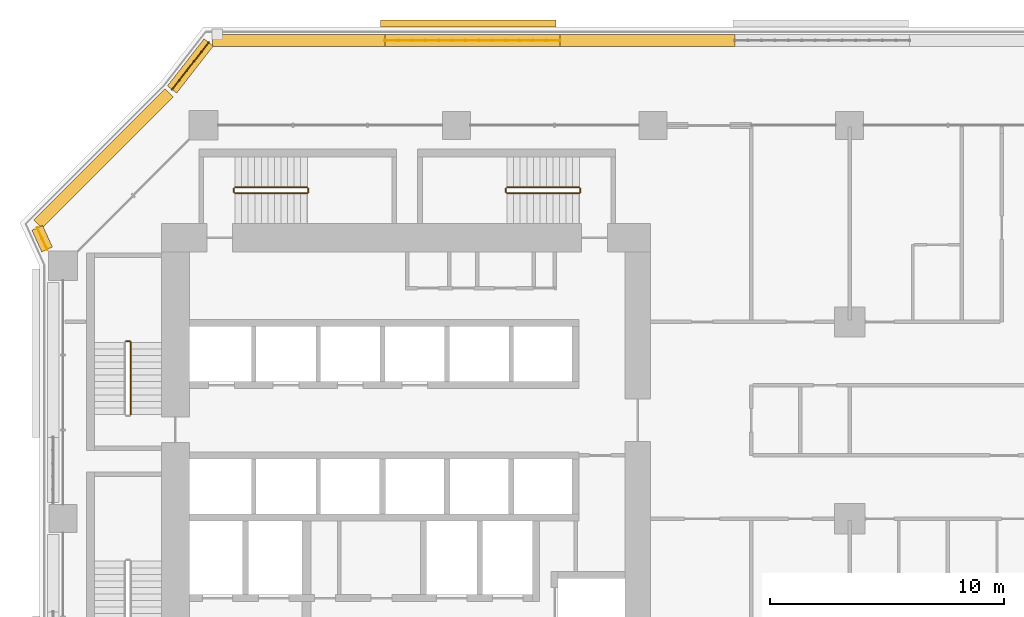
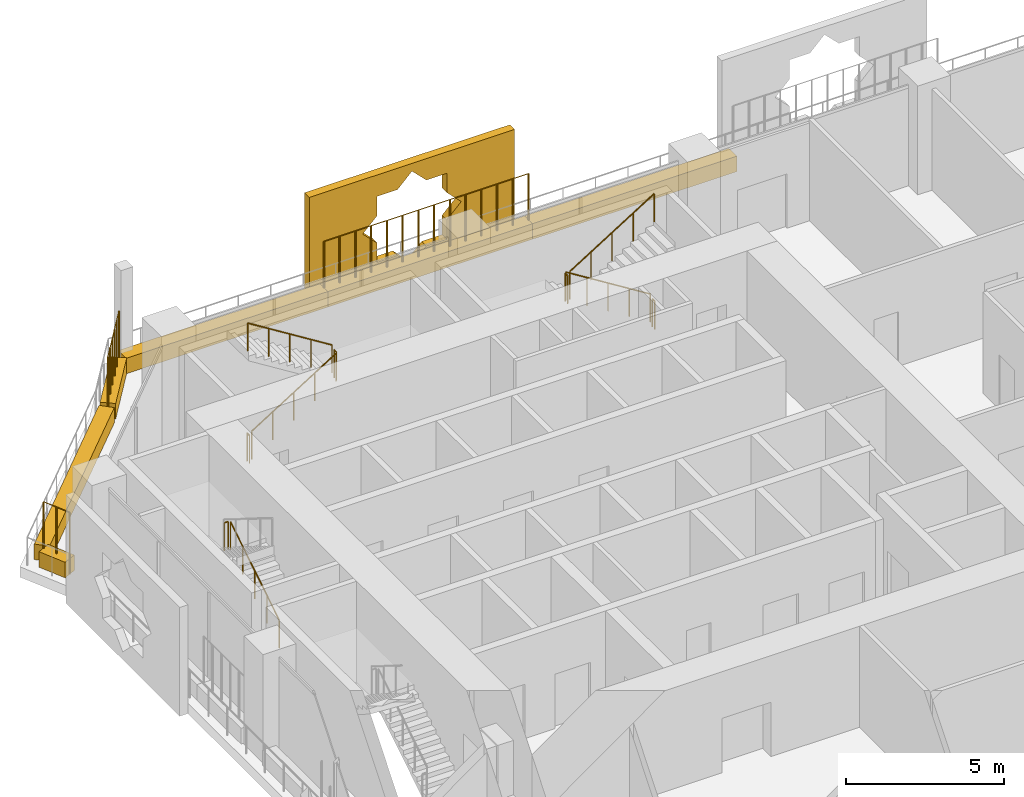
# One storey, part 27 of 29: 13 railings, 7 coverings.
"""IFC4 building model written with IfcOpenShell, lengths in metres."""

from ifc_helpers import new_model, si_unit, direction, frame, origin, origin_2d, place, context, subcontext, project, spatial, polyline, rectangle, circle, outline, extrude, material, material_profile, profile_set, type_object, element, save


model = new_model("IFC4")

# Units and contexts
model_context = context("Model", 3, precision=1e-05, world=origin(), true_north=direction((0.0, 1.0)))
body_context = subcontext(model_context, "Body", "Model", "MODEL_VIEW")
ifc_project = project(units=[si_unit("LENGTHUNIT", "METRE"), si_unit("AREAUNIT", "SQUARE_METRE"), si_unit("VOLUMEUNIT", "CUBIC_METRE"), si_unit("PLANEANGLEUNIT", "RADIAN"), si_unit("MASSUNIT", "GRAM", prefix="KILO")], contexts=[model_context])

# Site, building, storey
site_placement = place(None, origin())
site = spatial("IfcSite", under=ifc_project, at=site_placement, CompositionType="ELEMENT")
building_placement = place(site_placement, origin())
building = spatial("IfcBuilding", under=site, at=building_placement, Name="Kawkab Arch Medical Tower", CompositionType="ELEMENT")
storey_placement = place(building_placement, frame((0.0, 0.0, 64.39990234375)))
storey = spatial("IfcBuildingStorey", under=building, at=storey_placement, Name="L14", CompositionType="ELEMENT", Elevation=64.39990234375)

# Coverings
ifc_material_1 = material(Name="Bronze anodised aluminium mashrabiya panel, eight-point star pattern", Category="aluminium")
ifc_material_profile_1 = material_profile(ifc_material_1, outline(polyline([(-3.75, -2.10009765625), (3.75, -2.10009765625), (3.75, 2.10009765625), (-3.75, 2.10009765625), (-3.75, -2.10009765625)]), holes=[polyline([(1.800048828125, 0.0), (1.272705078125, 0.527099609375), (1.272705078125, 1.272705078125), (0.527099609375, 1.272705078125), (0.0, 1.800048828125), (-0.527099609375, 1.272705078125), (-1.272705078125, 1.272705078125), (-1.272705078125, 0.527099609375), (-1.800048828125, 0.0), (-1.272705078125, -0.527099609375), (-1.272705078125, -1.272705078125), (-0.527099609375, -1.272705078125), (0.0, -1.800048828125), (0.527099609375, -1.272705078125), (1.272705078125, -1.272705078125), (1.272705078125, -0.527099609375), (1.800048828125, 0.0)])]), Name="Mashrabiya panel 7500x4200")
ifc_profile_set_1 = profile_set([ifc_material_profile_1], Name="Bronze anodised aluminium mashrabiya panel, eight-point star pattern")
covering_type_1 = type_object("IfcCoveringType", Name="Mashrabiya panel 7500 x 4200", PredefinedType="USERDEFINED", material=ifc_profile_set_1)
covering_1_placement = place(storey_placement, frame((17.30322265625, 4.199951171875, 1.7001953125), z_axis=(0.0, 1.0, 0.0), x_axis=(-1.0, 0.0, 0.0)))
element("IfcCovering", 1, at=covering_1_placement, inside=storey, type_object=covering_type_1, Name="Mashrabiya panel L14.LOG-01-01.6", ObjectType="SCREEN", PredefinedType="USERDEFINED", context=body_context, shape_type="SweptSolid", body=[
    extrude(outline(polyline([(-3.75, -2.10009765625), (3.75, -2.10009765625), (3.75, 2.10009765625), (-3.75, 2.10009765625), (-3.75, -2.10009765625)]), holes=[polyline([(1.800048828125, 0.0), (1.272705078125, 0.527099609375), (1.272705078125, 1.272705078125), (0.527099609375, 1.272705078125), (0.0, 1.800048828125), (-0.527099609375, 1.272705078125), (-1.272705078125, 1.272705078125), (-1.272705078125, 0.527099609375), (-1.800048828125, 0.0), (-1.272705078125, -0.527099609375), (-1.272705078125, -1.272705078125), (-0.527099609375, -1.272705078125), (0.0, -1.800048828125), (0.527099609375, -1.272705078125), (1.272705078125, -1.272705078125), (1.272705078125, -0.527099609375), (1.800048828125, 0.0)])]), origin(), (0.0, 0.0, 1.0), 0.300048828125),
])
ifc_material_2 = material(Name="Planting soil in a precast trough", Category="concrete")
ifc_material_profile_2 = material_profile(ifc_material_2, rectangle(XDim=0.5, YDim=0.60009765625, at=origin_2d()), Name="Trough 500x600")
ifc_profile_set_2 = profile_set([ifc_material_profile_2], Name="Planting soil in a precast trough")
covering_type_2 = type_object("IfcCoveringType", Name="Planter trough 500 x 600", PredefinedType="USERDEFINED", material=ifc_profile_set_2)
covering_2_placement = place(storey_placement, frame((-0.680908203125, -5.302001953125, 0.300048828125), z_axis=(-0.415071571878, 0.909788761317, 0.0), x_axis=(-0.909788761317, -0.415071571878, 0.0)))
element("IfcCovering", 2, at=covering_2_placement, inside=storey, type_object=covering_type_2, Name="Planter L14.LOG-01-01.17", ObjectType="PLANTER", PredefinedType="USERDEFINED", context=body_context, shape_type="SweptSolid", body=[
    extrude(rectangle(XDim=0.5, YDim=0.60009765625, at=origin_2d()), origin(), (0.0, 0.0, 1.0), 1.0146484375),
])
covering_3_placement = place(storey_placement, frame((-1.072998046875, -4.217041015625, 0.300048828125), z_axis=(0.707106781187, 0.707106781187, 0.0), x_axis=(-0.707106781187, 0.707106781187, 0.0)))
element("IfcCovering", 3, at=covering_3_placement, inside=storey, type_object=covering_type_2, Name="Planter L14.LOG-01-01.18", ObjectType="PLANTER", PredefinedType="USERDEFINED", context=body_context, shape_type="SweptSolid", body=[
    extrude(rectangle(XDim=0.5, YDim=0.60009765625, at=origin_2d()), origin(), (0.0, 0.0, 1.0), 7.919677734375),
])
covering_4_placement = place(storey_placement, frame((4.658935546875, 1.531982421875, 0.300048828125), z_axis=(0.61404021143, 0.789274742246, 0.0), x_axis=(-0.789274742246, 0.61404021143, 0.0)))
element("IfcCovering", 4, at=covering_4_placement, inside=storey, type_object=covering_type_2, Name="Planter L14.LOG-01-01.19", ObjectType="PLANTER", PredefinedType="USERDEFINED", context=body_context, shape_type="SweptSolid", body=[
    extrude(rectangle(XDim=0.5, YDim=0.60009765625, at=origin_2d()), origin(), (0.0, 0.0, 1.0), 2.54541015625),
])
covering_5_placement = place(storey_placement, frame((6.384033203125, 3.6201171875, 0.300048828125), z_axis=(1.0, 0.0, 0.0), x_axis=(0.0, 1.0, 0.0)))
element("IfcCovering", 5, at=covering_5_placement, inside=storey, type_object=covering_type_2, Name="Planter L14.LOG-01-01.20", ObjectType="PLANTER", PredefinedType="USERDEFINED", context=body_context, shape_type="SweptSolid", body=[
    extrude(rectangle(XDim=0.5, YDim=0.60009765625, at=origin_2d()), origin(), (0.0, 0.0, 1.0), 7.369873046875),
])
covering_6_placement = place(storey_placement, frame((13.75390625, 3.6201171875, 0.300048828125), z_axis=(1.0, 0.0, 0.0), x_axis=(0.0, 1.0, 0.0)))
element("IfcCovering", 6, at=covering_6_placement, inside=storey, type_object=covering_type_2, Name="Planter L14.LOG-01-01.21", ObjectType="PLANTER", PredefinedType="USERDEFINED", context=body_context, shape_type="SweptSolid", body=[
    extrude(rectangle(XDim=0.5, YDim=0.60009765625, at=origin_2d()), origin(), (0.0, 0.0, 1.0), 7.47021484375),
])
covering_7_placement = place(storey_placement, frame((21.22412109375, 3.6201171875, 0.300048828125), z_axis=(1.0, 0.0, 0.0), x_axis=(0.0, 1.0, 0.0)))
element("IfcCovering", 7, at=covering_7_placement, inside=storey, type_object=covering_type_2, Name="Planter L14.LOG-01-01.22", ObjectType="PLANTER", PredefinedType="USERDEFINED", context=body_context, shape_type="SweptSolid", body=[
    extrude(rectangle(XDim=0.5, YDim=0.60009765625, at=origin_2d()), origin(), (0.0, 0.0, 1.0), 7.470947265625),
])

# Railings
ifc_material_3 = material(Name="Bronze anodised aluminium trellis for climbing plants", Category="aluminium")
railing_type_1 = type_object("IfcRailingType", Name="Planting trellis 2400", PredefinedType="USERDEFINED", material=ifc_material_3)
railing_1_placement = place(storey_placement, frame((-0.680908203125, -5.302001953125, 0.0)))
element("IfcRailing", 8, at=railing_1_placement, inside=storey, type_object=railing_type_1, Name="Planting trellis L14.LOG-01-01.17", ObjectType="TRELLIS", PredefinedType="USERDEFINED", context=body_context, shape_type="SweptSolid", body=[
    extrude(circle(Radius=0.01513671875, at=origin_2d()), frame((0.0, 0.0, 2.384765625), z_axis=(-0.415071571878, 0.909788761317, 0.0), x_axis=(-0.909788761317, -0.415071571878, 0.0)), (0.0, 0.0, 1.0), 1.0146484375),
    extrude(circle(Radius=0.030029296875, at=origin_2d()), origin(), (0.0, 0.0, 1.0), 2.369873046875),
    extrude(circle(Radius=0.030029296875, at=origin_2d()), frame((-0.21044921875, 0.46142578125, 0.0)), (0.0, 0.0, 1.0), 2.369873046875),
    extrude(circle(Radius=0.030029296875, at=origin_2d()), frame((-0.421142578125, 0.923095703125, 0.0)), (0.0, 0.0, 1.0), 2.369873046875),
])
railing_2_placement = place(storey_placement, frame((4.658935546875, 1.531982421875, 0.0)))
element("IfcRailing", 9, at=railing_2_placement, inside=storey, type_object=railing_type_1, Name="Planting trellis L14.LOG-01-01.19", ObjectType="TRELLIS", PredefinedType="USERDEFINED", context=body_context, shape_type="SweptSolid", body=[
    extrude(circle(Radius=0.01513671875, at=origin_2d()), frame((0.0, 0.0, 2.384765625), z_axis=(0.61404021143, 0.789274742246, 0.0), x_axis=(-0.789274742246, 0.61404021143, 0.0)), (0.0, 0.0, 1.0), 2.54541015625),
    extrude(circle(Radius=0.030029296875, at=origin_2d()), origin(), (0.0, 0.0, 1.0), 2.369873046875),
    extrude(circle(Radius=0.030029296875, at=origin_2d()), frame((0.3125, 0.40185546875, 0.0)), (0.0, 0.0, 1.0), 2.369873046875),
    extrude(circle(Radius=0.030029296875, at=origin_2d()), frame((0.625244140625, 0.8037109375, 0.0)), (0.0, 0.0, 1.0), 2.369873046875),
    extrude(circle(Radius=0.030029296875, at=origin_2d()), frame((0.937744140625, 1.205322265625, 0.0)), (0.0, 0.0, 1.0), 2.369873046875),
    extrude(circle(Radius=0.030029296875, at=origin_2d()), frame((1.25048828125, 1.607177734375, 0.0)), (0.0, 0.0, 1.0), 2.369873046875),
    extrude(circle(Radius=0.030029296875, at=origin_2d()), frame((1.56298828125, 2.009033203125, 0.0)), (0.0, 0.0, 1.0), 2.369873046875),
])
railing_3_placement = place(storey_placement, frame((13.75390625, 3.6201171875, 0.0)))
element("IfcRailing", 10, at=railing_3_placement, inside=storey, type_object=railing_type_1, Name="Planting trellis L14.LOG-01-01.21", ObjectType="TRELLIS", PredefinedType="USERDEFINED", context=body_context, shape_type="SweptSolid", body=[
    extrude(circle(Radius=0.01513671875, at=origin_2d()), frame((0.0, 0.0, 2.384765625), z_axis=(1.0, 0.0, 0.0), x_axis=(0.0, 1.0, 0.0)), (0.0, 0.0, 1.0), 7.47021484375),
    extrude(circle(Radius=0.030029296875, at=origin_2d()), origin(), (0.0, 0.0, 1.0), 2.369873046875),
    extrude(circle(Radius=0.030029296875, at=origin_2d()), frame((0.57470703125, 0.0, 0.0)), (0.0, 0.0, 1.0), 2.369873046875),
    extrude(circle(Radius=0.030029296875, at=origin_2d()), frame((1.149169921875, 0.0, 0.0)), (0.0, 0.0, 1.0), 2.369873046875),
    extrude(circle(Radius=0.030029296875, at=origin_2d()), frame((1.723876953125, 0.0, 0.0)), (0.0, 0.0, 1.0), 2.369873046875),
    extrude(circle(Radius=0.030029296875, at=origin_2d()), frame((2.298583984375, 0.0, 0.0)), (0.0, 0.0, 1.0), 2.369873046875),
    extrude(circle(Radius=0.030029296875, at=origin_2d()), frame((2.873046875, 0.0, 0.0)), (0.0, 0.0, 1.0), 2.369873046875),
    extrude(circle(Radius=0.030029296875, at=origin_2d()), frame((3.44775390625, 0.0, 0.0)), (0.0, 0.0, 1.0), 2.369873046875),
    extrude(circle(Radius=0.030029296875, at=origin_2d()), frame((4.0224609375, 0.0, 0.0)), (0.0, 0.0, 1.0), 2.369873046875),
    extrude(circle(Radius=0.030029296875, at=origin_2d()), frame((4.59716796875, 0.0, 0.0)), (0.0, 0.0, 1.0), 2.369873046875),
    extrude(circle(Radius=0.030029296875, at=origin_2d()), frame((5.171630859375, 0.0, 0.0)), (0.0, 0.0, 1.0), 2.369873046875),
    extrude(circle(Radius=0.030029296875, at=origin_2d()), frame((5.746337890625, 0.0, 0.0)), (0.0, 0.0, 1.0), 2.369873046875),
    extrude(circle(Radius=0.030029296875, at=origin_2d()), frame((6.321044921875, 0.0, 0.0)), (0.0, 0.0, 1.0), 2.369873046875),
    extrude(circle(Radius=0.030029296875, at=origin_2d()), frame((6.8955078125, 0.0, 0.0)), (0.0, 0.0, 1.0), 2.369873046875),
    extrude(circle(Radius=0.030029296875, at=origin_2d()), frame((7.47021484375, 0.0, 0.0)), (0.0, 0.0, 1.0), 2.369873046875),
])
ifc_material_4 = material(Name="Stainless steel", Category="steel")
railing_type_2 = type_object("IfcRailingType", Name="Stair guard 1100", PredefinedType="GUARDRAIL", material=ifc_material_4)
railing_4_placement = place(storey_placement, frame((2.89990234375, -12.35009765625, 0.175048828125)))
element("IfcRailing", 11, at=railing_4_placement, inside=storey, type_object=railing_type_2, Name="L14 ST1 stair guard 1", PredefinedType="GUARDRAIL", context=body_context, shape_type="SweptSolid", body=[
    extrude(circle(Radius=0.02392578125, at=origin_2d()), frame((0.0, 0.0, 1.076171875), z_axis=(0.0, 0.847998304005, 0.529998940003), x_axis=(-1.0, 0.0, 0.0)), (0.0, 0.0, 1.0), 3.632080078125),
    extrude(circle(Radius=0.02099609375, at=origin_2d()), origin(), (0.0, 0.0, 1.0), 1.052001953125),
    extrude(circle(Radius=0.02099609375, at=origin_2d()), frame((0.0, 0.77001953125, 0.481201171875)), (0.0, 0.0, 1.0), 1.052001953125),
    extrude(circle(Radius=0.02099609375, at=origin_2d()), frame((0.0, 1.5400390625, 0.96240234375)), (0.0, 0.0, 1.0), 1.052001953125),
    extrude(circle(Radius=0.02099609375, at=origin_2d()), frame((0.0, 2.31005859375, 1.44384765625)), (0.0, 0.0, 1.0), 1.052001953125),
    extrude(circle(Radius=0.02099609375, at=origin_2d()), frame((0.0, 3.080078125, 1.925048828125)), (0.0, 0.0, 1.0), 1.052001953125),
])
railing_5_placement = place(storey_placement, frame((2.85009765625, -9.219970703125, 2.10009765625)))
element("IfcRailing", 12, at=railing_5_placement, inside=storey, type_object=railing_type_2, Name="L14 ST1 stair guard 2", PredefinedType="GUARDRAIL", context=body_context, shape_type="SweptSolid", body=[
    extrude(circle(Radius=0.02392578125, at=origin_2d()), frame((0.0, 0.0, 1.076171875), z_axis=(-1.0, 0.0, 0.0), x_axis=(0.0, -1.0, 0.0)), (0.0, 0.0, 1.0), 0.150146484375),
    extrude(circle(Radius=0.02099609375, at=origin_2d()), origin(), (0.0, 0.0, 1.0), 1.052001953125),
    extrude(circle(Radius=0.02099609375, at=origin_2d()), frame((-0.150146484375, 0.0, 0.0)), (0.0, 0.0, 1.0), 1.052001953125),
])
railing_6_placement = place(storey_placement, frame((7.35009765625, -2.89990234375, 0.175048828125)))
element("IfcRailing", 13, at=railing_6_placement, inside=storey, type_object=railing_type_2, Name="L14 ST3 stair guard 1", PredefinedType="GUARDRAIL", context=body_context, shape_type="SweptSolid", body=[
    extrude(circle(Radius=0.02392578125, at=origin_2d()), frame((0.0, 0.0, 1.076171875), z_axis=(0.847979421464, 0.0, 0.530029150871), x_axis=(0.0, 1.0, 0.0)), (0.0, 0.0, 1.0), 3.632080078125),
    extrude(circle(Radius=0.02099609375, at=origin_2d()), origin(), (0.0, 0.0, 1.0), 1.052001953125),
    extrude(circle(Radius=0.02099609375, at=origin_2d()), frame((0.77001953125, 0.0, 0.481201171875)), (0.0, 0.0, 1.0), 1.052001953125),
    extrude(circle(Radius=0.02099609375, at=origin_2d()), frame((1.5400390625, 0.0, 0.96240234375)), (0.0, 0.0, 1.0), 1.052001953125),
    extrude(circle(Radius=0.02099609375, at=origin_2d()), frame((2.309814453125, 0.0, 1.44384765625)), (0.0, 0.0, 1.0), 1.052001953125),
    extrude(circle(Radius=0.02099609375, at=origin_2d()), frame((3.079833984375, 0.0, 1.925048828125)), (0.0, 0.0, 1.0), 1.052001953125),
])
railing_7_placement = place(storey_placement, frame((10.47998046875, -2.85009765625, 2.10009765625)))
element("IfcRailing", 14, at=railing_7_placement, inside=storey, type_object=railing_type_2, Name="L14 ST3 stair guard 2", PredefinedType="GUARDRAIL", context=body_context, shape_type="SweptSolid", body=[
    extrude(circle(Radius=0.02392578125, at=origin_2d()), frame((0.0, 0.0, 1.076171875), z_axis=(0.0, 1.0, 0.0), x_axis=(-1.0, 0.0, 0.0)), (0.0, 0.0, 1.0), 0.150146484375),
    extrude(circle(Radius=0.02099609375, at=origin_2d()), origin(), (0.0, 0.0, 1.0), 1.052001953125),
    extrude(circle(Radius=0.02099609375, at=origin_2d()), frame((0.0, 0.150146484375, 0.0)), (0.0, 0.0, 1.0), 1.052001953125),
])
railing_8_placement = place(storey_placement, frame((10.429931640625, -2.64990234375, 2.275146484375)))
element("IfcRailing", 15, at=railing_8_placement, inside=storey, type_object=railing_type_2, Name="L14 ST3 stair guard 3", PredefinedType="GUARDRAIL", context=body_context, shape_type="SweptSolid", body=[
    extrude(circle(Radius=0.02392578125, at=origin_2d()), frame((0.0, 0.0, 1.076171875), z_axis=(-0.847979421464, 0.0, 0.530029150871), x_axis=(0.0, -1.0, 0.0)), (0.0, 0.0, 1.0), 3.632080078125),
    extrude(circle(Radius=0.02099609375, at=origin_2d()), origin(), (0.0, 0.0, 1.0), 1.052001953125),
    extrude(circle(Radius=0.02099609375, at=origin_2d()), frame((-0.77001953125, 0.0, 0.481201171875)), (0.0, 0.0, 1.0), 1.052001953125),
    extrude(circle(Radius=0.02099609375, at=origin_2d()), frame((-1.5400390625, 0.0, 0.96240234375)), (0.0, 0.0, 1.0), 1.052001953125),
    extrude(circle(Radius=0.02099609375, at=origin_2d()), frame((-2.309814453125, 0.0, 1.44384765625)), (0.0, 0.0, 1.0), 1.052001953125),
    extrude(circle(Radius=0.02099609375, at=origin_2d()), frame((-3.079833984375, 0.0, 1.925048828125)), (0.0, 0.0, 1.0), 1.052001953125),
])
railing_9_placement = place(storey_placement, frame((7.300048828125, -2.85009765625, 0.0)))
element("IfcRailing", 16, at=railing_9_placement, inside=storey, type_object=railing_type_2, Name="L14 ST3 stair guard 4", PredefinedType="GUARDRAIL", context=body_context, shape_type="SweptSolid", body=[
    extrude(circle(Radius=0.02392578125, at=origin_2d()), frame((0.0, 0.0, 1.076171875), z_axis=(0.0, 1.0, 0.0), x_axis=(-1.0, 0.0, 0.0)), (0.0, 0.0, 1.0), 0.150146484375),
    extrude(circle(Radius=0.02099609375, at=origin_2d()), origin(), (0.0, 0.0, 1.0), 1.052001953125),
    extrude(circle(Radius=0.02099609375, at=origin_2d()), frame((0.0, 0.150146484375, 0.0)), (0.0, 0.0, 1.0), 1.052001953125),
])
railing_10_placement = place(storey_placement, frame((22.050048828125, -2.64990234375, 0.175048828125)))
element("IfcRailing", 17, at=railing_10_placement, inside=storey, type_object=railing_type_2, Name="L14 ST4 stair guard 1", PredefinedType="GUARDRAIL", context=body_context, shape_type="SweptSolid", body=[
    extrude(circle(Radius=0.02392578125, at=origin_2d()), frame((0.0, 0.0, 1.076171875), z_axis=(-0.847998304005, 0.0, 0.529998940003), x_axis=(0.0, -1.0, 0.0)), (0.0, 0.0, 1.0), 3.632080078125),
    extrude(circle(Radius=0.02099609375, at=origin_2d()), origin(), (0.0, 0.0, 1.0), 1.052001953125),
    extrude(circle(Radius=0.02099609375, at=origin_2d()), frame((-0.77001953125, 0.0, 0.481201171875)), (0.0, 0.0, 1.0), 1.052001953125),
    extrude(circle(Radius=0.02099609375, at=origin_2d()), frame((-1.5400390625, 0.0, 0.96240234375)), (0.0, 0.0, 1.0), 1.052001953125),
    extrude(circle(Radius=0.02099609375, at=origin_2d()), frame((-2.31005859375, 0.0, 1.44384765625)), (0.0, 0.0, 1.0), 1.052001953125),
    extrude(circle(Radius=0.02099609375, at=origin_2d()), frame((-3.080078125, 0.0, 1.925048828125)), (0.0, 0.0, 1.0), 1.052001953125),
])
railing_11_placement = place(storey_placement, frame((18.919921875, -2.699951171875, 2.10009765625)))
element("IfcRailing", 18, at=railing_11_placement, inside=storey, type_object=railing_type_2, Name="L14 ST4 stair guard 2", PredefinedType="GUARDRAIL", context=body_context, shape_type="SweptSolid", body=[
    extrude(circle(Radius=0.02392578125, at=origin_2d()), frame((0.0, 0.0, 1.076171875), z_axis=(0.0, -1.0, 0.0), x_axis=(1.0, 0.0, 0.0)), (0.0, 0.0, 1.0), 0.150146484375),
    extrude(circle(Radius=0.02099609375, at=origin_2d()), origin(), (0.0, 0.0, 1.0), 1.052001953125),
    extrude(circle(Radius=0.02099609375, at=origin_2d()), frame((0.0, -0.150146484375, 0.0)), (0.0, 0.0, 1.0), 1.052001953125),
])
railing_12_placement = place(storey_placement, frame((18.969970703125, -2.89990234375, 2.275146484375)))
element("IfcRailing", 19, at=railing_12_placement, inside=storey, type_object=railing_type_2, Name="L14 ST4 stair guard 3", PredefinedType="GUARDRAIL", context=body_context, shape_type="SweptSolid", body=[
    extrude(circle(Radius=0.02392578125, at=origin_2d()), frame((0.0, 0.0, 1.076171875), z_axis=(0.847998304005, 0.0, 0.529998940003), x_axis=(0.0, 1.0, 0.0)), (0.0, 0.0, 1.0), 3.632080078125),
    extrude(circle(Radius=0.02099609375, at=origin_2d()), origin(), (0.0, 0.0, 1.0), 1.052001953125),
    extrude(circle(Radius=0.02099609375, at=origin_2d()), frame((0.77001953125, 0.0, 0.481201171875)), (0.0, 0.0, 1.0), 1.052001953125),
    extrude(circle(Radius=0.02099609375, at=origin_2d()), frame((1.5400390625, 0.0, 0.96240234375)), (0.0, 0.0, 1.0), 1.052001953125),
    extrude(circle(Radius=0.02099609375, at=origin_2d()), frame((2.31005859375, 0.0, 1.44384765625)), (0.0, 0.0, 1.0), 1.052001953125),
    extrude(circle(Radius=0.02099609375, at=origin_2d()), frame((3.080078125, 0.0, 1.925048828125)), (0.0, 0.0, 1.0), 1.052001953125),
])
railing_13_placement = place(storey_placement, frame((22.10009765625, -2.699951171875, 0.0)))
element("IfcRailing", 20, at=railing_13_placement, inside=storey, type_object=railing_type_2, Name="L14 ST4 stair guard 4", PredefinedType="GUARDRAIL", context=body_context, shape_type="SweptSolid", body=[
    extrude(circle(Radius=0.02392578125, at=origin_2d()), frame((0.0, 0.0, 1.076171875), z_axis=(0.0, -1.0, 0.0), x_axis=(1.0, 0.0, 0.0)), (0.0, 0.0, 1.0), 0.150146484375),
    extrude(circle(Radius=0.02099609375, at=origin_2d()), origin(), (0.0, 0.0, 1.0), 1.052001953125),
    extrude(circle(Radius=0.02099609375, at=origin_2d()), frame((0.0, -0.150146484375, 0.0)), (0.0, 0.0, 1.0), 1.052001953125),
])

save(model, "model.ifc")
